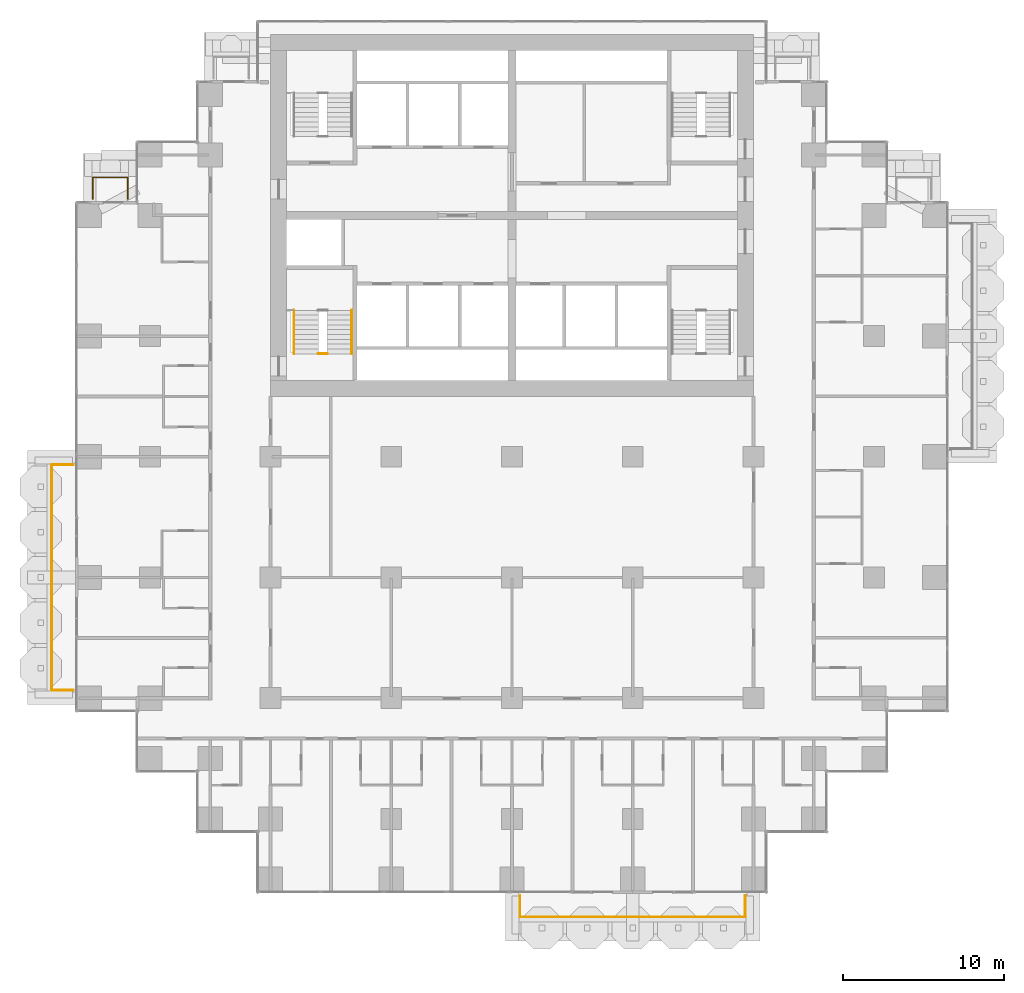
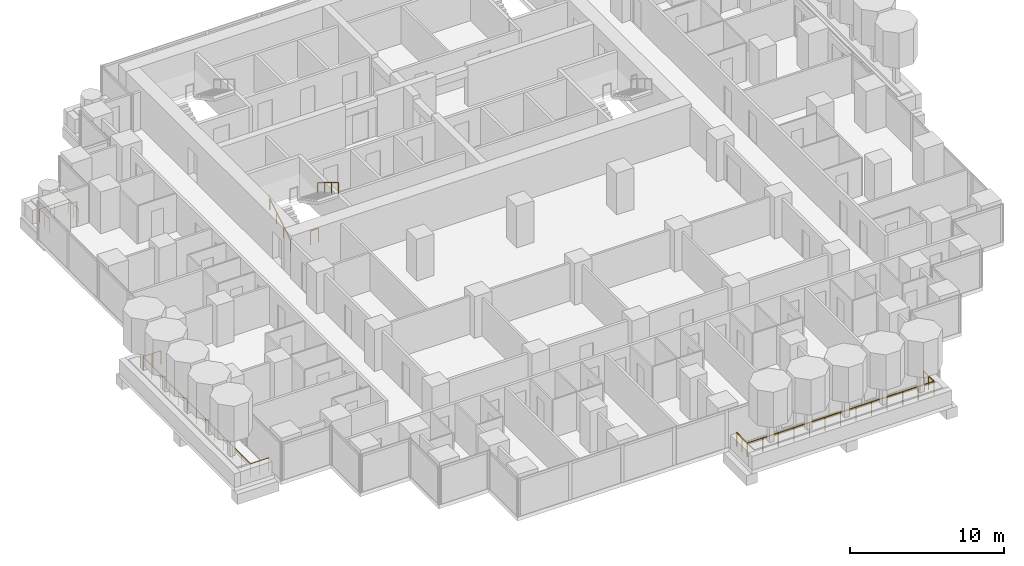
# One storey, part 17 of 19: 6 railings.
"""IFC4 building model written with IfcOpenShell, lengths in metres."""

from ifc_helpers import new_model, si_unit, direction, frame, origin, origin_2d, place, context, subcontext, project, spatial, circle, extrude, material, type_object, element, save


model = new_model("IFC4")

# Units and contexts
model_context = context("Model", 3, precision=1e-05, world=origin(), true_north=direction((0.0, 1.0)))
body_context = subcontext(model_context, "Body", "Model", "MODEL_VIEW")
ifc_project = project(units=[si_unit("LENGTHUNIT", "METRE"), si_unit("AREAUNIT", "SQUARE_METRE"), si_unit("VOLUMEUNIT", "CUBIC_METRE"), si_unit("PLANEANGLEUNIT", "RADIAN"), si_unit("MASSUNIT", "GRAM", prefix="KILO")], contexts=[model_context])

# Site, building, storey
site_placement = place(None, origin())
site = spatial("IfcSite", under=ifc_project, at=site_placement, CompositionType="ELEMENT")
building_placement = place(site_placement, origin())
building = spatial("IfcBuilding", under=site, at=building_placement, Name="Pilkhan Gate Tower", CompositionType="ELEMENT")
storey_placement = place(building_placement, frame((0.0, 0.0, 65.89990234375)))
storey = spatial("IfcBuildingStorey", under=building, at=storey_placement, Name="L14", CompositionType="ELEMENT", Elevation=65.89990234375)

# Railings
ifc_material_1 = material(Name="Pale anodised aluminium posts, laminated glass infill", Category="aluminium")
railing_type_1 = type_object("IfcRailingType", Name="Balcony guard G1", PredefinedType="BALUSTRADE", material=ifc_material_1)
railing_1_placement = place(storey_placement, frame((75.5, 40.25, 0.0)))
element("IfcRailing", 1, at=railing_1_placement, inside=storey, type_object=railing_type_1, Name="Balcony guard L14 S", PredefinedType="BALUSTRADE", context=body_context, shape_type="SweptSolid", body=[
    extrude(circle(Radius=0.02392578125, at=origin_2d()), frame((0.0, 0.0, 1.076171875), z_axis=(0.0, -1.0, 0.0), x_axis=(1.0, 0.0, 0.0)), (0.0, 0.0, 1.0), 1.35009765625),
    extrude(circle(Radius=0.02392578125, at=origin_2d()), frame((0.0, -1.35009765625, 1.076171875), z_axis=(1.0, 0.0, 0.0), x_axis=(0.0, 1.0, 0.0)), (0.0, 0.0, 1.0), 14.0),
    extrude(circle(Radius=0.02392578125, at=origin_2d()), frame((14.0, -1.35009765625, 1.076171875), z_axis=(0.0, 1.0, 0.0), x_axis=(-1.0, 0.0, 0.0)), (0.0, 0.0, 1.0), 1.35009765625),
    extrude(circle(Radius=0.02099609375, at=origin_2d()), origin(), (0.0, 0.0, 1.0), 1.052001953125),
    extrude(circle(Radius=0.02099609375, at=origin_2d()), frame((0.0, -0.675048828125, 0.0)), (0.0, 0.0, 1.0), 1.052001953125),
    extrude(circle(Radius=0.02099609375, at=origin_2d()), frame((0.0, -1.35009765625, 0.0)), (0.0, 0.0, 1.0), 1.052001953125),
    extrude(circle(Radius=0.02099609375, at=origin_2d()), frame((1.166748046875, -1.35009765625, 0.0)), (0.0, 0.0, 1.0), 1.052001953125),
    extrude(circle(Radius=0.02099609375, at=origin_2d()), frame((2.333251953125, -1.35009765625, 0.0)), (0.0, 0.0, 1.0), 1.052001953125),
    extrude(circle(Radius=0.02099609375, at=origin_2d()), frame((3.5, -1.35009765625, 0.0)), (0.0, 0.0, 1.0), 1.052001953125),
    extrude(circle(Radius=0.02099609375, at=origin_2d()), frame((4.666748046875, -1.35009765625, 0.0)), (0.0, 0.0, 1.0), 1.052001953125),
    extrude(circle(Radius=0.02099609375, at=origin_2d()), frame((5.833251953125, -1.35009765625, 0.0)), (0.0, 0.0, 1.0), 1.052001953125),
    extrude(circle(Radius=0.02099609375, at=origin_2d()), frame((7.0, -1.35009765625, 0.0)), (0.0, 0.0, 1.0), 1.052001953125),
    extrude(circle(Radius=0.02099609375, at=origin_2d()), frame((8.166748046875, -1.35009765625, 0.0)), (0.0, 0.0, 1.0), 1.052001953125),
    extrude(circle(Radius=0.02099609375, at=origin_2d()), frame((9.333251953125, -1.35009765625, 0.0)), (0.0, 0.0, 1.0), 1.052001953125),
    extrude(circle(Radius=0.02099609375, at=origin_2d()), frame((10.5, -1.35009765625, 0.0)), (0.0, 0.0, 1.0), 1.052001953125),
    extrude(circle(Radius=0.02099609375, at=origin_2d()), frame((11.666748046875, -1.35009765625, 0.0)), (0.0, 0.0, 1.0), 1.052001953125),
    extrude(circle(Radius=0.02099609375, at=origin_2d()), frame((12.833251953125, -1.35009765625, 0.0)), (0.0, 0.0, 1.0), 1.052001953125),
    extrude(circle(Radius=0.02099609375, at=origin_2d()), frame((14.0, -1.35009765625, 0.0)), (0.0, 0.0, 1.0), 1.052001953125),
    extrude(circle(Radius=0.02099609375, at=origin_2d()), frame((14.0, -0.675048828125, 0.0)), (0.0, 0.0, 1.0), 1.052001953125),
    extrude(circle(Radius=0.02099609375, at=origin_2d()), frame((14.0, 0.0, 0.0)), (0.0, 0.0, 1.0), 1.052001953125),
])
railing_2_placement = place(storey_placement, frame((48.949951171875, 83.52001953125, 0.0)))
element("IfcRailing", 2, at=railing_2_placement, inside=storey, type_object=railing_type_1, Name="Balcony guard L14 N", PredefinedType="BALUSTRADE", context=body_context, shape_type="SweptSolid", body=[
    extrude(circle(Radius=0.02392578125, at=origin_2d()), frame((0.0, 0.0, 1.076171875), z_axis=(0.0, 1.0, 0.0), x_axis=(-1.0, 0.0, 0.0)), (0.0, 0.0, 1.0), 1.330078125),
    extrude(circle(Radius=0.02392578125, at=origin_2d()), frame((0.0, 1.330078125, 1.076171875), z_axis=(1.0, 0.0, 0.0), x_axis=(0.0, 1.0, 0.0)), (0.0, 0.0, 1.0), 2.179931640625),
    extrude(circle(Radius=0.02392578125, at=origin_2d()), frame((2.179931640625, 1.330078125, 1.076171875), z_axis=(0.0, -1.0, 0.0), x_axis=(1.0, 0.0, 0.0)), (0.0, 0.0, 1.0), 1.330078125),
    extrude(circle(Radius=0.02099609375, at=origin_2d()), origin(), (0.0, 0.0, 1.0), 1.052001953125),
    extrude(circle(Radius=0.02099609375, at=origin_2d()), frame((0.0, 0.6650390625, 0.0)), (0.0, 0.0, 1.0), 1.052001953125),
    extrude(circle(Radius=0.02099609375, at=origin_2d()), frame((0.0, 1.330078125, 0.0)), (0.0, 0.0, 1.0), 1.052001953125),
    extrude(circle(Radius=0.02099609375, at=origin_2d()), frame((1.08984375, 1.330078125, 0.0)), (0.0, 0.0, 1.0), 1.052001953125),
    extrude(circle(Radius=0.02099609375, at=origin_2d()), frame((2.179931640625, 1.330078125, 0.0)), (0.0, 0.0, 1.0), 1.052001953125),
    extrude(circle(Radius=0.02099609375, at=origin_2d()), frame((2.179931640625, 0.6650390625, 0.0)), (0.0, 0.0, 1.0), 1.052001953125),
    extrude(circle(Radius=0.02099609375, at=origin_2d()), frame((2.179931640625, 0.0, 0.0)), (0.0, 0.0, 1.0), 1.052001953125),
])
railing_3_placement = place(storey_placement, frame((47.75, 53.0, 0.0)))
element("IfcRailing", 3, at=railing_3_placement, inside=storey, type_object=railing_type_1, Name="Balcony guard L14 W", PredefinedType="BALUSTRADE", context=body_context, shape_type="SweptSolid", body=[
    extrude(circle(Radius=0.02392578125, at=origin_2d()), frame((0.0, 0.0, 1.076171875), z_axis=(-1.0, 0.0, 0.0), x_axis=(0.0, -1.0, 0.0)), (0.0, 0.0, 1.0), 1.35009765625),
    extrude(circle(Radius=0.02392578125, at=origin_2d()), frame((-1.35009765625, 0.0, 1.076171875), z_axis=(0.0, 1.0, 0.0), x_axis=(-1.0, 0.0, 0.0)), (0.0, 0.0, 1.0), 14.0),
    extrude(circle(Radius=0.02392578125, at=origin_2d()), frame((-1.35009765625, 14.0, 1.076171875), z_axis=(1.0, 0.0, 0.0), x_axis=(0.0, 1.0, 0.0)), (0.0, 0.0, 1.0), 1.35009765625),
    extrude(circle(Radius=0.02099609375, at=origin_2d()), origin(), (0.0, 0.0, 1.0), 1.052001953125),
    extrude(circle(Radius=0.02099609375, at=origin_2d()), frame((-0.675048828125, 0.0, 0.0)), (0.0, 0.0, 1.0), 1.052001953125),
    extrude(circle(Radius=0.02099609375, at=origin_2d()), frame((-1.35009765625, 0.0, 0.0)), (0.0, 0.0, 1.0), 1.052001953125),
    extrude(circle(Radius=0.02099609375, at=origin_2d()), frame((-1.35009765625, 1.166748046875, 0.0)), (0.0, 0.0, 1.0), 1.052001953125),
    extrude(circle(Radius=0.02099609375, at=origin_2d()), frame((-1.35009765625, 2.333251953125, 0.0)), (0.0, 0.0, 1.0), 1.052001953125),
    extrude(circle(Radius=0.02099609375, at=origin_2d()), frame((-1.35009765625, 3.5, 0.0)), (0.0, 0.0, 1.0), 1.052001953125),
    extrude(circle(Radius=0.02099609375, at=origin_2d()), frame((-1.35009765625, 4.666748046875, 0.0)), (0.0, 0.0, 1.0), 1.052001953125),
    extrude(circle(Radius=0.02099609375, at=origin_2d()), frame((-1.35009765625, 5.833251953125, 0.0)), (0.0, 0.0, 1.0), 1.052001953125),
    extrude(circle(Radius=0.02099609375, at=origin_2d()), frame((-1.35009765625, 7.0, 0.0)), (0.0, 0.0, 1.0), 1.052001953125),
    extrude(circle(Radius=0.02099609375, at=origin_2d()), frame((-1.35009765625, 8.166748046875, 0.0)), (0.0, 0.0, 1.0), 1.052001953125),
    extrude(circle(Radius=0.02099609375, at=origin_2d()), frame((-1.35009765625, 9.333251953125, 0.0)), (0.0, 0.0, 1.0), 1.052001953125),
    extrude(circle(Radius=0.02099609375, at=origin_2d()), frame((-1.35009765625, 10.5, 0.0)), (0.0, 0.0, 1.0), 1.052001953125),
    extrude(circle(Radius=0.02099609375, at=origin_2d()), frame((-1.35009765625, 11.666748046875, 0.0)), (0.0, 0.0, 1.0), 1.052001953125),
    extrude(circle(Radius=0.02099609375, at=origin_2d()), frame((-1.35009765625, 12.833251953125, 0.0)), (0.0, 0.0, 1.0), 1.052001953125),
    extrude(circle(Radius=0.02099609375, at=origin_2d()), frame((-1.35009765625, 14.0, 0.0)), (0.0, 0.0, 1.0), 1.052001953125),
    extrude(circle(Radius=0.02099609375, at=origin_2d()), frame((-0.675048828125, 14.0, 0.0)), (0.0, 0.0, 1.0), 1.052001953125),
    extrude(circle(Radius=0.02099609375, at=origin_2d()), frame((0.0, 14.0, 0.0)), (0.0, 0.0, 1.0), 1.052001953125),
])
ifc_material_2 = material(Name="Black powder-coated steel tube", Category="steel")
railing_type_2 = type_object("IfcRailingType", Name="Stair handrail HR1", PredefinedType="HANDRAIL", material=ifc_material_2)
railing_4_placement = place(storey_placement, frame((61.449951171875, 73.89990234375, 0.0)))
element("IfcRailing", 4, at=railing_4_placement, inside=storey, type_object=railing_type_2, Name="Stair ST2 handrail L14", PredefinedType="HANDRAIL", context=body_context, shape_type="SweptSolid", body=[
    extrude(circle(Radius=0.02392578125, at=origin_2d()), frame((0.0, 0.0, 0.8759765625), z_axis=(0.0, 0.853278019476, 0.521456250781), x_axis=(-1.0, 0.0, 0.0)), (0.0, 0.0, 1.0), 3.16455078125),
    extrude(circle(Radius=0.02099609375, at=origin_2d()), origin(), (0.0, 0.0, 1.0), 0.851806640625),
    extrude(circle(Radius=0.02099609375, at=origin_2d()), frame((0.0, 0.900146484375, 0.550048828125)), (0.0, 0.0, 1.0), 0.851806640625),
    extrude(circle(Radius=0.02099609375, at=origin_2d()), frame((0.0, 1.800048828125, 1.10009765625)), (0.0, 0.0, 1.0), 0.851806640625),
    extrude(circle(Radius=0.02099609375, at=origin_2d()), frame((0.0, 2.7001953125, 1.650146484375)), (0.0, 0.0, 1.0), 0.851806640625),
])
railing_5_placement = place(storey_placement, frame((65.050048828125, 76.60009765625, 1.650146484375)))
element("IfcRailing", 5, at=railing_5_placement, inside=storey, type_object=railing_type_2, Name="Stair ST2 handrail L14", PredefinedType="HANDRAIL", context=body_context, shape_type="SweptSolid", body=[
    extrude(circle(Radius=0.02392578125, at=origin_2d()), frame((0.0, 0.0, 0.8759765625), z_axis=(0.0, -0.853312346642, 0.521400075823), x_axis=(1.0, 0.0, 0.0)), (0.0, 0.0, 1.0), 3.164306640625),
    extrude(circle(Radius=0.02099609375, at=origin_2d()), origin(), (0.0, 0.0, 1.0), 0.851806640625),
    extrude(circle(Radius=0.02099609375, at=origin_2d()), frame((0.0, -0.900146484375, 0.550048828125)), (0.0, 0.0, 1.0), 0.851806640625),
    extrude(circle(Radius=0.02099609375, at=origin_2d()), frame((0.0, -1.800048828125, 1.099853515625)), (0.0, 0.0, 1.0), 0.851806640625),
    extrude(circle(Radius=0.02099609375, at=origin_2d()), frame((0.0, -2.7001953125, 1.64990234375)), (0.0, 0.0, 1.0), 0.851806640625),
])
ifc_material_3 = material(Name="Black powder-coated steel balusters", Category="steel")
railing_type_3 = type_object("IfcRailingType", Name="Stair well guard G3", PredefinedType="GUARDRAIL", material=ifc_material_3)
railing_6_placement = place(storey_placement, frame((62.9599609375, 73.89990234375, 0.0)))
element("IfcRailing", 6, at=railing_6_placement, inside=storey, type_object=railing_type_3, Name="Stair ST2 well guard L14", PredefinedType="GUARDRAIL", context=body_context, shape_type="SweptSolid", body=[
    extrude(circle(Radius=0.02392578125, at=origin_2d()), frame((0.0, 0.0, 1.076171875), z_axis=(1.0, 0.0, 0.0), x_axis=(0.0, 1.0, 0.0)), (0.0, 0.0, 1.0), 0.580078125),
    extrude(circle(Radius=0.02099609375, at=origin_2d()), origin(), (0.0, 0.0, 1.0), 1.052001953125),
    extrude(circle(Radius=0.02099609375, at=origin_2d()), frame((0.580078125, 0.0, 0.0)), (0.0, 0.0, 1.0), 1.052001953125),
])

save(model, "model.ifc")
